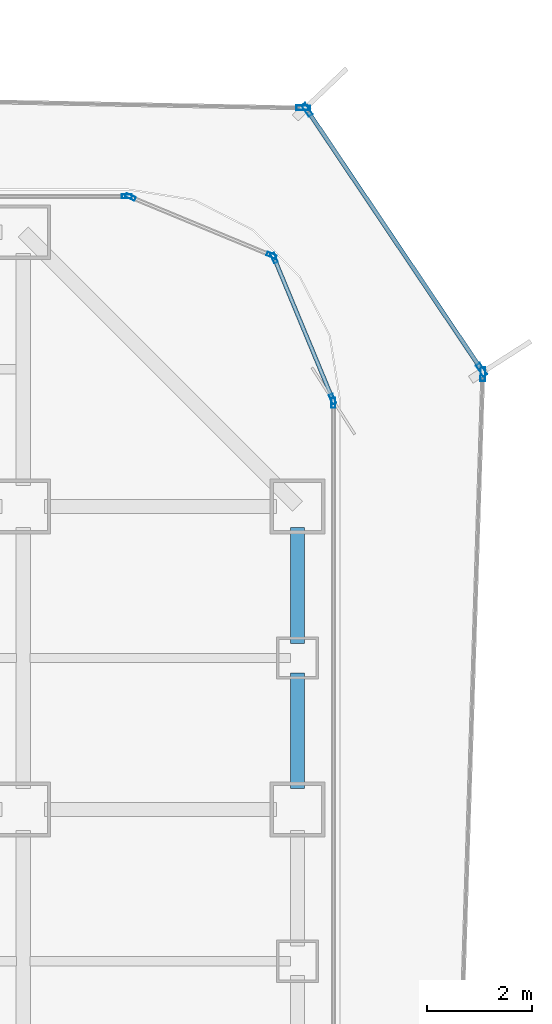
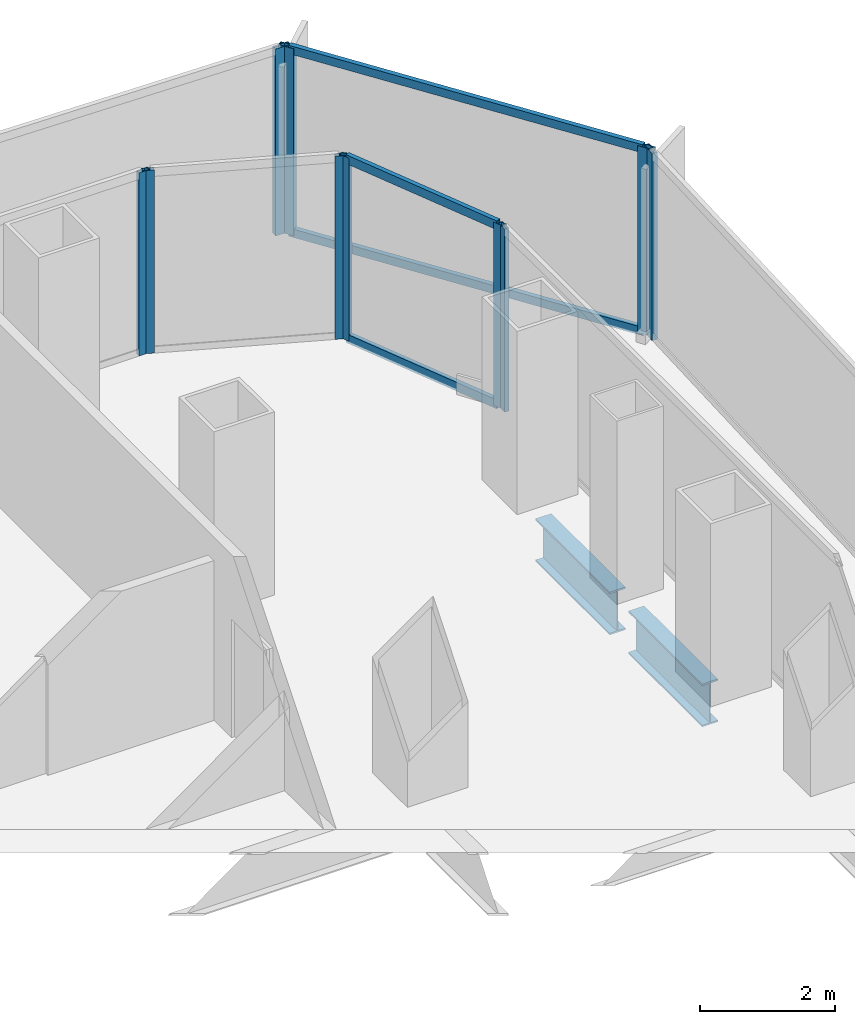
# One storey, part 15 of 22: 14 members, 2 beams, 7 elements without a shape of their own.
"""IFC4 building model written with IfcOpenShell, lengths in metres."""

from ifc_helpers import new_model, si_unit, direction, frame, origin, origin_2d, place, context, subcontext, project, spatial, hollow_rectangle, i_section, extrude, source, transform, mapped, material, layer, layer_set, material_profile, profile_set, type_object, element, aggregate, save


model = new_model("IFC4")

# Units and contexts
model_context = context("Model", 3, precision=1e-05, world=origin(), true_north=direction((0.0, 1.0)))
body_context = subcontext(model_context, "Body", "Model", "MODEL_VIEW")
ifc_project = project(units=[si_unit("LENGTHUNIT", "METRE"), si_unit("AREAUNIT", "SQUARE_METRE"), si_unit("VOLUMEUNIT", "CUBIC_METRE"), si_unit("PLANEANGLEUNIT", "RADIAN"), si_unit("MASSUNIT", "GRAM", prefix="KILO")], contexts=[model_context])

# Site, building, storey
site_placement = place(None, origin())
site = spatial("IfcSite", under=ifc_project, at=site_placement, CompositionType="ELEMENT")
building_placement = place(site_placement, origin())
building = spatial("IfcBuilding", under=site, at=building_placement, Name="Kolveth Station Tower", CompositionType="ELEMENT")
storey_placement = place(building_placement, frame((0.0, 0.0, 69.300048828125)))
storey = spatial("IfcBuildingStorey", under=building, at=storey_placement, Name="L18", CompositionType="ELEMENT", Elevation=69.300048828125)

# Beams
ifc_material_1 = material(Name="Steel S355", Category="steel")
ifc_material_profile_1 = material_profile(ifc_material_1, i_section(OverallWidth=0.26904296875, OverallDepth=0.77490234375, WebThickness=0.01708984375, FlangeThickness=0.0283203125, at=origin_2d()), Name="W760x220")
ifc_profile_set_1 = profile_set([ifc_material_profile_1], Name="Steel S355")
beam_type = type_object("IfcBeamType", Name="Beam_SP1", PredefinedType="SPANDREL", material=ifc_profile_set_1)
shared_shape_1 = source(origin(), body_context, "Body", "SweptSolid", [
    extrude(i_section(OverallWidth=0.26904296875, OverallDepth=0.77490234375, WebThickness=0.01708984375, FlangeThickness=0.0283203125, at=origin_2d()), origin(), (0.0, 0.0, 1.0), 2.2001953125),
])
beam_1_placement = place(storey_placement, frame((46.199951171875, 31.89990234375, -0.66748046875), z_axis=(0.0, 1.0, 0.0), x_axis=(-1.0, 0.0, 0.0)))
element("IfcBeam", 1, at=beam_1_placement, inside=storey, type_object=beam_type, Name="L18 Perimeter Spandrel BM-L18-PE-10", PredefinedType="SPANDREL", context=body_context, shape_type="MappedRepresentation", body=[
    mapped(shared_shape_1, transform((0.0, 0.0, 0.0), x_axis=(1.0, 0.0, 0.0), y_axis=(0.0, 1.0, 0.0), z_axis=(0.0, 0.0, 1.0), scale=1.0)),
])
shared_shape_2 = source(origin(), body_context, "Body", "SweptSolid", [
    extrude(i_section(OverallWidth=0.26904296875, OverallDepth=0.77490234375, WebThickness=0.01708984375, FlangeThickness=0.0283203125, at=origin_2d()), origin(), (0.0, 0.0, 1.0), 2.190185546875),
])
beam_2_placement = place(storey_placement, frame((46.199951171875, 29.14990234375, -0.66748046875), z_axis=(0.0, 1.0, 0.0), x_axis=(-1.0, 0.0, 0.0)))
element("IfcBeam", 2, at=beam_2_placement, inside=storey, type_object=beam_type, Name="L18 Perimeter Spandrel BM-L18-PE-9", PredefinedType="SPANDREL", context=body_context, shape_type="MappedRepresentation", body=[
    mapped(shared_shape_2, transform((0.0, 0.0, 0.0), x_axis=(1.0, 0.0, 0.0), y_axis=(0.0, 1.0, 0.0), z_axis=(0.0, 0.0, 1.0), scale=1.0)),
])

# Curtain wall, member
ifc_material_2 = material(Name="Aluminium 6063-T6 and low-E dark glass", Category="aluminium")
ifc_layer_1 = layer(ifc_material_2, 0.179931640625)
ifc_layer_set_1 = layer_set([ifc_layer_1], Name="Aluminium 6063-T6 and low-E dark glass")
curtain_wall_type_1 = type_object("IfcCurtainWallType", Name="CurtainWall_CW-Z1", PredefinedType="NOTDEFINED", material=ifc_layer_set_1)
curtain_wall_1_placement = place(storey_placement, origin())
curtain_wall_1 = element("IfcCurtainWall", 3, at=curtain_wall_1_placement, inside=storey, type_object=curtain_wall_type_1, Name="L18 Inner Thermal Curtain Wall 3", PredefinedType="NOTDEFINED")
ifc_material_3 = material(Name="Black anodized aluminium 6063-T6", Category="aluminium")
ifc_material_profile_2 = material_profile(ifc_material_3, hollow_rectangle(XDim=0.074951171875, YDim=0.18994140625, WallThickness=0.0048828125, at=origin_2d()), Name="ALU-75x190x5")
ifc_profile_set_2 = profile_set([ifc_material_profile_2], Name="Black anodized aluminium 6063-T6")
member_type_1 = type_object("IfcMemberType", Name="Mullion_ML1", PredefinedType="MULLION", material=ifc_profile_set_2)
shared_shape_3 = source(origin(), body_context, "Body", "SweptSolid", [
    extrude(hollow_rectangle(XDim=0.074951171875, YDim=0.18994140625, WallThickness=0.0048828125, at=origin_2d()), origin(), (0.0, 0.0, 1.0), 3.320068359375),
])
member_1_placement = place(storey_placement, frame((46.8798828125, 36.46240234375, 0.0), z_axis=(0.0, 0.0, 1.0), x_axis=(-1.0, 0.0, 0.0)))
member_1 = element("IfcMember", 4, at=member_1_placement, type_object=member_type_1, Name="CW-Z1 mullion 2", PredefinedType="MULLION", context=body_context, shape_type="MappedRepresentation", body=[
    mapped(shared_shape_3, transform((0.0, 0.0, 0.0), x_axis=(1.0, 0.0, 0.0), y_axis=(0.0, 1.0, 0.0), z_axis=(0.0, 0.0, 1.0), scale=1.0)),
])
aggregate(curtain_wall_1, [member_1])

# Curtain wall, members
curtain_wall_2_placement = place(storey_placement, origin())
curtain_wall_2 = element("IfcCurtainWall", 5, at=curtain_wall_2_placement, inside=storey, type_object=curtain_wall_type_1, Name="L18 Inner Thermal Curtain Wall 4", PredefinedType="NOTDEFINED")
member_2_placement = place(storey_placement, frame((46.86572265625, 36.53466796875, 0.0), z_axis=(0.0, 0.0, 1.0), x_axis=(-0.923883857728, -0.382672990201, 0.0)))
member_2 = element("IfcMember", 6, at=member_2_placement, type_object=member_type_1, Name="CW-Z1 mullion 1", PredefinedType="MULLION", context=body_context, shape_type="MappedRepresentation", body=[
    mapped(shared_shape_3, transform((0.0, 0.0, 0.0), x_axis=(1.0, 0.0, 0.0), y_axis=(0.0, 1.0, 0.0), z_axis=(0.0, 0.0, 1.0), scale=1.0)),
])
member_3_placement = place(storey_placement, frame((45.758056640625, 39.208984375, 0.0), z_axis=(0.0, 0.0, 1.0), x_axis=(-0.923883857728, -0.382672990201, 0.0)))
member_3 = element("IfcMember", 7, at=member_3_placement, type_object=member_type_1, Name="CW-Z1 mullion 2", PredefinedType="MULLION", context=body_context, shape_type="MappedRepresentation", body=[
    mapped(shared_shape_3, transform((0.0, 0.0, 0.0), x_axis=(1.0, 0.0, 0.0), y_axis=(0.0, 1.0, 0.0), z_axis=(0.0, 0.0, 1.0), scale=1.0)),
])

curtain_wall_3_placement = place(storey_placement, origin())
curtain_wall_3 = element("IfcCurtainWall", 8, at=curtain_wall_3_placement, inside=storey, type_object=curtain_wall_type_1, Name="L18 Inner Thermal Curtain Wall 5", PredefinedType="NOTDEFINED")
member_4_placement = place(storey_placement, frame((45.708984375, 39.258056640625, 0.0), z_axis=(0.0, 0.0, 1.0), x_axis=(-0.382672990201, -0.923883857728, 0.0)))
member_4 = element("IfcMember", 9, at=member_4_placement, type_object=member_type_1, Name="CW-Z1 mullion 1", PredefinedType="MULLION", context=body_context, shape_type="MappedRepresentation", body=[
    mapped(shared_shape_3, transform((0.0, 0.0, 0.0), x_axis=(1.0, 0.0, 0.0), y_axis=(0.0, 1.0, 0.0), z_axis=(0.0, 0.0, 1.0), scale=1.0)),
])
member_5_placement = place(storey_placement, frame((43.03466796875, 40.36572265625, 0.0), z_axis=(0.0, 0.0, 1.0), x_axis=(-0.382672990201, -0.923883857728, 0.0)))
member_5 = element("IfcMember", 10, at=member_5_placement, type_object=member_type_1, Name="CW-Z1 mullion 2", PredefinedType="MULLION", context=body_context, shape_type="MappedRepresentation", body=[
    mapped(shared_shape_3, transform((0.0, 0.0, 0.0), x_axis=(1.0, 0.0, 0.0), y_axis=(0.0, 1.0, 0.0), z_axis=(0.0, 0.0, 1.0), scale=1.0)),
])
aggregate(curtain_wall_3, [member_4, member_5])

# Curtain wall, member
curtain_wall_4_placement = place(storey_placement, origin())
curtain_wall_4 = element("IfcCurtainWall", 11, at=curtain_wall_4_placement, inside=storey, type_object=curtain_wall_type_1, Name="L18 Inner Thermal Curtain Wall 6", PredefinedType="NOTDEFINED")
member_6_placement = place(storey_placement, frame((42.96240234375, 40.3798828125, 0.0), z_axis=(0.0, 0.0, 1.0), x_axis=(0.0, -1.0, 0.0)))
member_6 = element("IfcMember", 12, at=member_6_placement, type_object=member_type_1, Name="CW-Z1 mullion 1", PredefinedType="MULLION", context=body_context, shape_type="MappedRepresentation", body=[
    mapped(shared_shape_3, transform((0.0, 0.0, 0.0), x_axis=(1.0, 0.0, 0.0), y_axis=(0.0, 1.0, 0.0), z_axis=(0.0, 0.0, 1.0), scale=1.0)),
])
aggregate(curtain_wall_4, [member_6])

# Member
ifc_material_profile_3 = material_profile(ifc_material_3, hollow_rectangle(XDim=0.074951171875, YDim=0.159912109375, WallThickness=0.0048828125, at=origin_2d()), Name="ALU-75x160x5")
ifc_profile_set_3 = profile_set([ifc_material_profile_3], Name="Black anodized aluminium 6063-T6")
member_type_2 = type_object("IfcMemberType", Name="Transom_TR1", PredefinedType="USERDEFINED", material=ifc_profile_set_3)
shared_shape_4 = source(origin(), body_context, "Body", "SweptSolid", [
    extrude(hollow_rectangle(XDim=0.074951171875, YDim=0.159912109375, WallThickness=0.0048828125, at=origin_2d()), origin(), (0.0, 0.0, 1.0), 2.819580078125),
])
member_7_placement = place(storey_placement, frame((46.851318359375, 36.5693359375, 0.037353515625), z_axis=(-0.382708655389, 0.923869084389, 0.0), x_axis=(-0.923869084389, -0.382708655389, 0.0)))
member_7 = element("IfcMember", 13, at=member_7_placement, type_object=member_type_2, Name="CW-Z1 transom 1.1", ObjectType="TRANSOM", PredefinedType="USERDEFINED", context=body_context, shape_type="MappedRepresentation", body=[
    mapped(shared_shape_4, transform((0.0, 0.0, 0.0), x_axis=(1.0, 0.0, 0.0), y_axis=(0.0, 1.0, 0.0), z_axis=(0.0, 0.0, 1.0), scale=1.0)),
])

member_8_placement = place(storey_placement, frame((46.851318359375, 36.5693359375, 3.282470703125), z_axis=(-0.382708655389, 0.923869084389, 0.0), x_axis=(-0.923869084389, -0.382708655389, 0.0)))
member_8 = element("IfcMember", 14, at=member_8_placement, type_object=member_type_2, Name="CW-Z1 transom 1.2", ObjectType="TRANSOM", PredefinedType="USERDEFINED", context=body_context, shape_type="MappedRepresentation", body=[
    mapped(shared_shape_4, transform((0.0, 0.0, 0.0), x_axis=(1.0, 0.0, 0.0), y_axis=(0.0, 1.0, 0.0), z_axis=(0.0, 0.0, 1.0), scale=1.0)),
])

aggregate(curtain_wall_2, [member_2, member_3, member_7, member_8])

# Curtain wall, member
ifc_material_4 = material(Name="Black anodized aluminium 6063-T6 and dark solar glass", Category="aluminium")
ifc_layer_2 = layer(ifc_material_4, 0.159912109375)
ifc_layer_set_2 = layer_set([ifc_layer_2], Name="Black anodized aluminium 6063-T6 and dark solar glass")
curtain_wall_type_2 = type_object("IfcCurtainWallType", Name="OUTER SKIN CW-OS", PredefinedType="NOTDEFINED", material=ifc_layer_set_2)
curtain_wall_5_placement = place(storey_placement, origin())
curtain_wall_5 = element("IfcCurtainWall", 15, at=curtain_wall_5_placement, inside=storey, type_object=curtain_wall_type_2, Name="L18 Outer Ventilated Skin Curtain Wall 2", PredefinedType="NOTDEFINED")
ifc_material_profile_4 = material_profile(ifc_material_3, hollow_rectangle(XDim=0.090087890625, YDim=0.260009765625, WallThickness=0.0048828125, at=origin_2d()), Name="ALU-90x260x5")
ifc_profile_set_4 = profile_set([ifc_material_profile_4], Name="Black anodized aluminium 6063-T6")
member_type_3 = type_object("IfcMemberType", Name="FIN MULLION ML-OS", PredefinedType="MULLION", material=ifc_profile_set_4)
shared_shape_5 = source(origin(), body_context, "Body", "SweptSolid", [
    extrude(hollow_rectangle(XDim=0.090087890625, YDim=0.260009765625, WallThickness=0.0048828125, at=origin_2d()), origin(), (0.0, 0.0, 1.0), 3.389892578125),
])
member_9_placement = place(storey_placement, frame((49.716064453125, 37.005615234375, 0.0), z_axis=(0.0, 0.0, 1.0), x_axis=(-0.999484666068, 0.032099879983, 0.0)))
member_9 = element("IfcMember", 16, at=member_9_placement, type_object=member_type_3, Name="CW-OS mullion 2", PredefinedType="MULLION", context=body_context, shape_type="MappedRepresentation", body=[
    mapped(shared_shape_5, transform((0.0, 0.0, 0.0), x_axis=(1.0, 0.0, 0.0), y_axis=(0.0, 1.0, 0.0), z_axis=(0.0, 0.0, 1.0), scale=1.0)),
])
aggregate(curtain_wall_5, [member_9])

# Curtain wall, members
curtain_wall_6_placement = place(storey_placement, origin())
curtain_wall_6 = element("IfcCurtainWall", 17, at=curtain_wall_6_placement, inside=storey, type_object=curtain_wall_type_2, Name="L18 Outer Ventilated Skin Curtain Wall 3", PredefinedType="NOTDEFINED")
member_10_placement = place(storey_placement, frame((49.6923828125, 37.088134765625, 0.0), z_axis=(0.0, 0.0, 1.0), x_axis=(-0.830193836055, -0.557474837618, 0.0)))
member_10 = element("IfcMember", 18, at=member_10_placement, type_object=member_type_3, Name="CW-OS mullion 1", PredefinedType="MULLION", context=body_context, shape_type="MappedRepresentation", body=[
    mapped(shared_shape_5, transform((0.0, 0.0, 0.0), x_axis=(1.0, 0.0, 0.0), y_axis=(0.0, 1.0, 0.0), z_axis=(0.0, 0.0, 1.0), scale=1.0)),
])
member_11_placement = place(storey_placement, frame((46.380126953125, 42.020751953125, 0.0), z_axis=(0.0, 0.0, 1.0), x_axis=(-0.830193836055, -0.557474837618, 0.0)))
member_11 = element("IfcMember", 19, at=member_11_placement, type_object=member_type_3, Name="CW-OS mullion 2", PredefinedType="MULLION", context=body_context, shape_type="MappedRepresentation", body=[
    mapped(shared_shape_5, transform((0.0, 0.0, 0.0), x_axis=(1.0, 0.0, 0.0), y_axis=(0.0, 1.0, 0.0), z_axis=(0.0, 0.0, 1.0), scale=1.0)),
])

# Curtain wall, member
curtain_wall_7_placement = place(storey_placement, origin())
curtain_wall_7 = element("IfcCurtainWall", 20, at=curtain_wall_7_placement, inside=storey, type_object=curtain_wall_type_2, Name="L18 Outer Ventilated Skin Curtain Wall 4", PredefinedType="NOTDEFINED")
member_12_placement = place(storey_placement, frame((46.31005859375, 42.058837890625, 0.0), z_axis=(0.0, 0.0, 1.0), x_axis=(-0.019360918643, -0.999812559848, 0.0)))
member_12 = element("IfcMember", 21, at=member_12_placement, type_object=member_type_3, Name="CW-OS mullion 1", PredefinedType="MULLION", context=body_context, shape_type="MappedRepresentation", body=[
    mapped(shared_shape_5, transform((0.0, 0.0, 0.0), x_axis=(1.0, 0.0, 0.0), y_axis=(0.0, 1.0, 0.0), z_axis=(0.0, 0.0, 1.0), scale=1.0)),
])
aggregate(curtain_wall_7, [member_12])

# Member
ifc_material_profile_5 = material_profile(ifc_material_3, hollow_rectangle(XDim=0.080078125, YDim=0.14990234375, WallThickness=0.0048828125, at=origin_2d()), Name="ALU-80x150x5")
ifc_profile_set_5 = profile_set([ifc_material_profile_5], Name="Black anodized aluminium 6063-T6")
member_type_4 = type_object("IfcMemberType", Name="Transom_TR-OS", PredefinedType="USERDEFINED", material=ifc_profile_set_5)
shared_shape_6 = source(origin(), body_context, "Body", "SweptSolid", [
    extrude(hollow_rectangle(XDim=0.080078125, YDim=0.14990234375, WallThickness=0.0048828125, at=origin_2d()), origin(), (0.0, 0.0, 1.0), 5.8515625),
])
member_13_placement = place(storey_placement, frame((49.667236328125, 37.12548828125, 0.0400390625), z_axis=(-0.557460480876, 0.830203476421, 0.0), x_axis=(-0.830203476421, -0.557460480876, 0.0)))
member_13 = element("IfcMember", 22, at=member_13_placement, type_object=member_type_4, Name="CW-OS transom 1.1", ObjectType="TRANSOM", PredefinedType="USERDEFINED", context=body_context, shape_type="MappedRepresentation", body=[
    mapped(shared_shape_6, transform((0.0, 0.0, 0.0), x_axis=(1.0, 0.0, 0.0), y_axis=(0.0, 1.0, 0.0), z_axis=(0.0, 0.0, 1.0), scale=1.0)),
])

member_14_placement = place(storey_placement, frame((49.667236328125, 37.12548828125, 3.349853515625), z_axis=(-0.557460480876, 0.830203476421, 0.0), x_axis=(-0.830203476421, -0.557460480876, 0.0)))
member_14 = element("IfcMember", 23, at=member_14_placement, type_object=member_type_4, Name="CW-OS transom 1.2", ObjectType="TRANSOM", PredefinedType="USERDEFINED", context=body_context, shape_type="MappedRepresentation", body=[
    mapped(shared_shape_6, transform((0.0, 0.0, 0.0), x_axis=(1.0, 0.0, 0.0), y_axis=(0.0, 1.0, 0.0), z_axis=(0.0, 0.0, 1.0), scale=1.0)),
])

aggregate(curtain_wall_6, [member_10, member_11, member_13, member_14])

save(model, "model.ifc")
